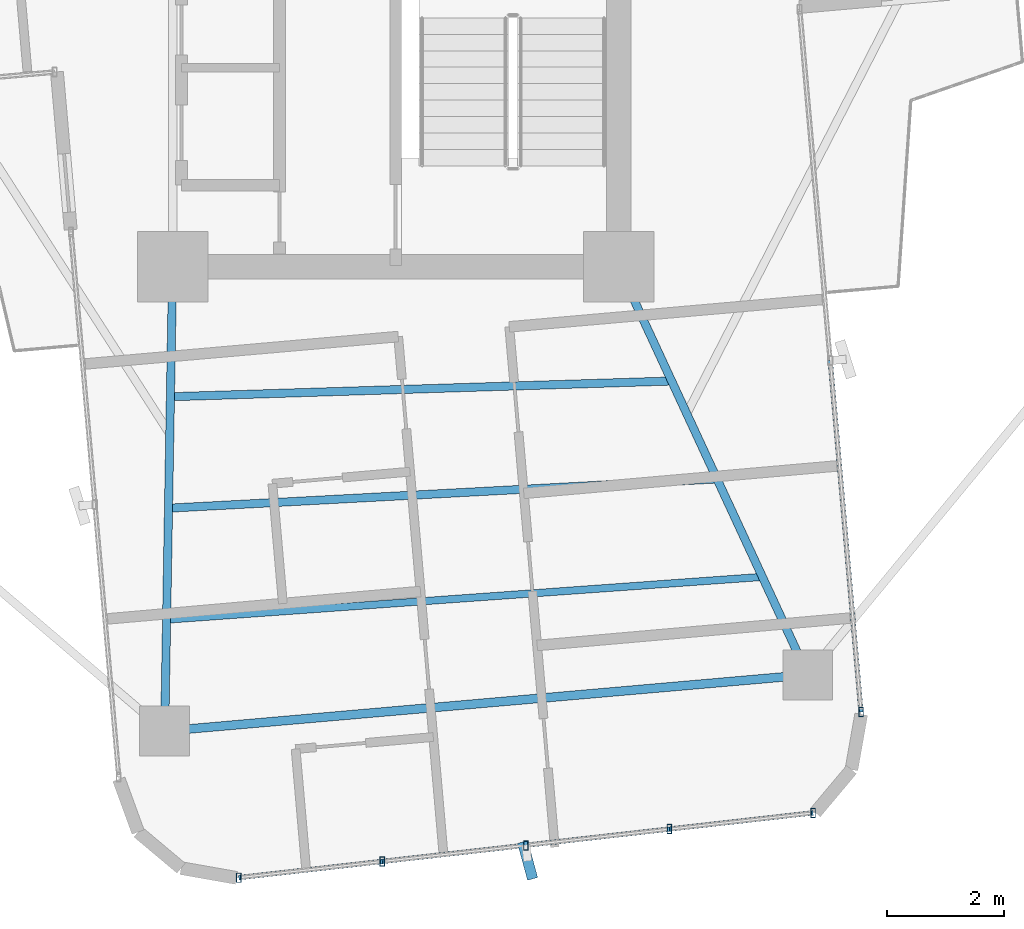
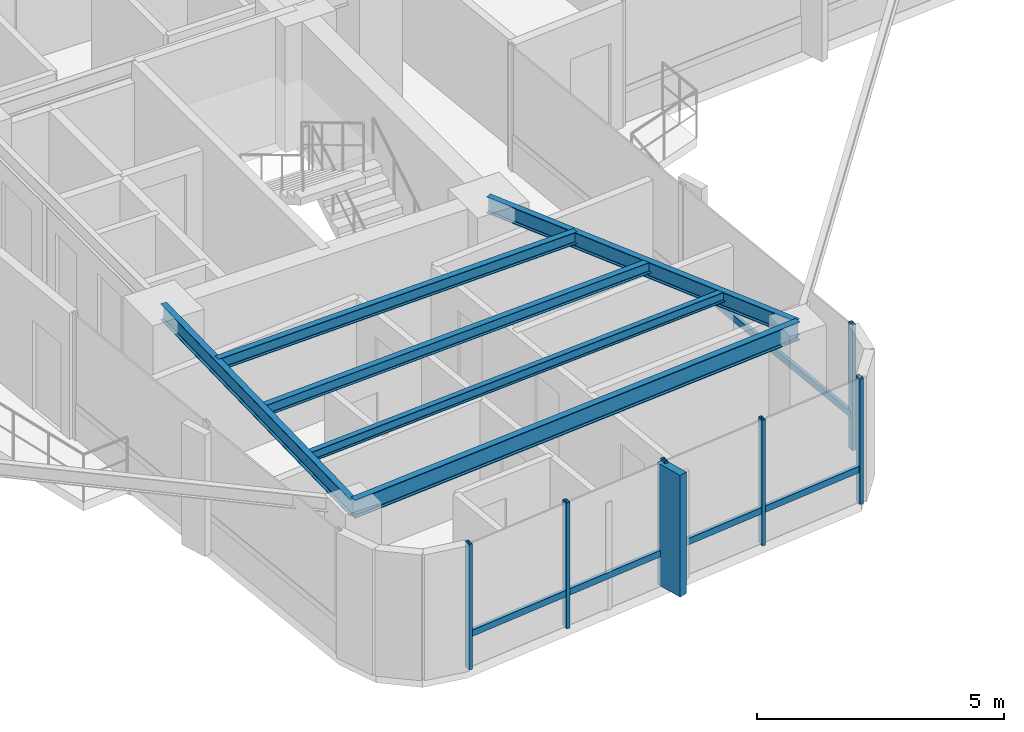
# One storey, part 6 of 24: 12 members, 6 beams, 2 elements without a shape of their own.
"""IFC4 building model written with IfcOpenShell, lengths in metres."""

from ifc_helpers import new_model, si_unit, direction, frame, origin, origin_2d, place, context, subcontext, project, spatial, rectangle, hollow_rectangle, i_section, extrude, source, transform, mapped, material, material_profile, profile_set, type_object, element, aggregate, save


model = new_model("IFC4")

# Units and contexts
model_context = context("Model", 3, precision=1e-05, world=origin(), true_north=direction((0.0, 1.0)))
body_context = subcontext(model_context, "Body", "Model", "MODEL_VIEW")
ifc_project = project(units=[si_unit("LENGTHUNIT", "METRE"), si_unit("AREAUNIT", "SQUARE_METRE"), si_unit("VOLUMEUNIT", "CUBIC_METRE"), si_unit("PLANEANGLEUNIT", "RADIAN"), si_unit("MASSUNIT", "GRAM", prefix="KILO")], contexts=[model_context])

# Site, building, storey
site_placement = place(None, origin())
site = spatial("IfcSite", under=ifc_project, at=site_placement, CompositionType="ELEMENT")
building_placement = place(site_placement, origin())
building = spatial("IfcBuilding", under=site, at=building_placement, Name="Sahyath Konkavel Grand Hotel", CompositionType="ELEMENT")
storey_placement = place(building_placement, frame((0.0, 0.0, 150.60009765625)))
storey = spatial("IfcBuildingStorey", under=building, at=storey_placement, Name="L41", CompositionType="ELEMENT", Elevation=150.60009765625)

# Beams
ifc_material_1 = material(Name="Steel E350", Category="steel")
ifc_material_profile_1 = material_profile(ifc_material_1, i_section(OverallWidth=0.139892578125, OverallDepth=0.39990234375, WebThickness=0.0087890625, FlangeThickness=0.01611328125, FilletRadius=0.013916015625, at=origin_2d()), Name="ISMB 400")
ifc_profile_set_1 = profile_set([ifc_material_profile_1], Name="Steel E350")
beam_type_1 = type_object("IfcBeamType", Name="BM-ISMB400", PredefinedType="BEAM", material=ifc_profile_set_1)
shared_shape_1 = source(origin(), body_context, "Body", "SweptSolid", [
    extrude(i_section(OverallWidth=0.139892578125, OverallDepth=0.39990234375, WebThickness=0.0087890625, FlangeThickness=0.01611328125, FilletRadius=0.013916015625, at=origin_2d()), origin(), (0.0, 0.0, 1.0), 7.913330078125),
])
beam_1_placement = place(storey_placement, frame((-3.800048828125, -10.199951171875, 2.909912109375), z_axis=(-0.017215419232, -0.999851803689, 0.0), x_axis=(0.999851803689, -0.017215419232, 0.0)))
element("IfcBeam", 1, at=beam_1_placement, inside=storey, type_object=beam_type_1, Name="L41 Cruciform Radial Girder SA", PredefinedType="BEAM", context=body_context, shape_type="MappedRepresentation", body=[
    mapped(shared_shape_1, transform((0.0, 0.0, 0.0), scale=1.0)),
])
shared_shape_2 = source(origin(), body_context, "Body", "SweptSolid", [
    extrude(i_section(OverallWidth=0.139892578125, OverallDepth=0.39990234375, WebThickness=0.0087890625, FlangeThickness=0.01611328125, FilletRadius=0.013916015625, at=origin_2d()), origin(), (0.0, 0.0, 1.0), 7.66357421875),
])
beam_2_placement = place(storey_placement, frame((3.800048828125, -10.199951171875, 2.909912109375), z_axis=(0.420395127561, -0.907341135804, 0.0), x_axis=(0.907341135804, 0.420395127561, 0.0)))
element("IfcBeam", 2, at=beam_2_placement, inside=storey, type_object=beam_type_1, Name="L41 Cruciform Radial Girder SB", PredefinedType="BEAM", context=body_context, shape_type="MappedRepresentation", body=[
    mapped(shared_shape_2, transform((0.0, 0.0, 0.0), scale=1.0)),
])
ifc_material_profile_2 = material_profile(ifc_material_1, i_section(OverallWidth=0.14990234375, OverallDepth=0.449951171875, WebThickness=0.009521484375, FlangeThickness=0.017333984375, FilletRadius=0.014892578125, at=origin_2d()), Name="ISMB 450")
ifc_profile_set_2 = profile_set([ifc_material_profile_2], Name="Steel E350")
beam_type_2 = type_object("IfcBeamType", Name="BM-ISMB450", PredefinedType="BEAM", material=ifc_profile_set_2)
shared_shape_3 = source(origin(), body_context, "Body", "SweptSolid", [
    extrude(i_section(OverallWidth=0.14990234375, OverallDepth=0.449951171875, WebThickness=0.009521484375, FlangeThickness=0.017333984375, FilletRadius=0.014892578125, at=origin_2d()), origin(), (0.0, 0.0, 1.0), 10.999755859375),
])
beam_3_placement = place(storey_placement, frame((-3.936279296875, -18.112060546875, 2.885009765625), z_axis=(0.99619439202, 0.087159241098, 0.0), x_axis=(-0.087159241098, 0.99619439202, 0.0)))
element("IfcBeam", 3, at=beam_3_placement, inside=storey, type_object=beam_type_2, Name="L41 Wing Tip Edge Beam S", PredefinedType="BEAM", context=body_context, shape_type="MappedRepresentation", body=[
    mapped(shared_shape_3, transform((0.0, 0.0, 0.0), scale=1.0)),
])
ifc_material_profile_3 = material_profile(ifc_material_1, i_section(OverallWidth=0.139892578125, OverallDepth=0.300048828125, WebThickness=0.0078125, FlangeThickness=0.01318359375, FilletRadius=0.013916015625, at=origin_2d()), Name="ISMB 300")
ifc_profile_set_3 = profile_set([ifc_material_profile_3], Name="Steel E350")
beam_type_3 = type_object("IfcBeamType", Name="BM-ISMB300", PredefinedType="BEAM", material=ifc_profile_set_3)
shared_shape_4 = source(origin(), body_context, "Body", "SweptSolid", [
    extrude(i_section(OverallWidth=0.139892578125, OverallDepth=0.300048828125, WebThickness=0.0078125, FlangeThickness=0.01318359375, FilletRadius=0.013916015625, at=origin_2d()), origin(), (0.0, 0.0, 1.0), 8.54443359375),
])
beam_4_placement = place(storey_placement, frame((-3.838134765625, -12.415283203125, 2.9599609375), z_axis=(0.999506849365, 0.031401561632, 0.0), x_axis=(-0.031401561632, 0.999506849365, 0.0)))
element("IfcBeam", 4, at=beam_4_placement, inside=storey, type_object=beam_type_3, Name="L41 Secondary Floor Beam S-1", PredefinedType="BEAM", context=body_context, shape_type="MappedRepresentation", body=[
    mapped(shared_shape_4, transform((0.0, 0.0, 0.0), scale=1.0)),
])
ifc_material_profile_4 = material_profile(ifc_material_1, i_section(OverallWidth=0.139892578125, OverallDepth=0.27490234375, WebThickness=0.00634765625, FlangeThickness=0.0087890625, FilletRadius=0.012939453125, at=origin_2d()), Name="ISLB 275")
ifc_profile_set_4 = profile_set([ifc_material_profile_4], Name="Steel E350")
beam_type_4 = type_object("IfcBeamType", Name="BM-ISLB275", PredefinedType="BEAM", material=ifc_profile_set_4)
shared_shape_5 = source(origin(), body_context, "Body", "SweptSolid", [
    extrude(i_section(OverallWidth=0.139892578125, OverallDepth=0.27490234375, WebThickness=0.00634765625, FlangeThickness=0.0087890625, FilletRadius=0.012939453125, at=origin_2d()), origin(), (0.0, 0.0, 1.0), 9.359375),
])
beam_5_placement = place(storey_placement, frame((-3.870849609375, -14.314208984375, 2.972412109375), z_axis=(0.998580397723, 0.053265272769, 0.0), x_axis=(-0.053265272769, 0.998580397723, 0.0)))
element("IfcBeam", 5, at=beam_5_placement, inside=storey, type_object=beam_type_4, Name="L41 Secondary Floor Beam S-2", PredefinedType="BEAM", context=body_context, shape_type="MappedRepresentation", body=[
    mapped(shared_shape_5, transform((0.0, 0.0, 0.0), scale=1.0)),
])
ifc_material_profile_5 = material_profile(ifc_material_1, i_section(OverallWidth=0.125, OverallDepth=0.25, WebThickness=0.0068359375, FlangeThickness=0.012451171875, FilletRadius=0.012939453125, at=origin_2d()), Name="ISMB 250")
ifc_profile_set_5 = profile_set([ifc_material_profile_5], Name="Steel E350")
beam_type_5 = type_object("IfcBeamType", Name="BM-ISMB250", PredefinedType="BEAM", material=ifc_profile_set_5)
shared_shape_6 = source(origin(), body_context, "Body", "SweptSolid", [
    extrude(i_section(OverallWidth=0.125, OverallDepth=0.25, WebThickness=0.0068359375, FlangeThickness=0.012451171875, FilletRadius=0.012939453125, at=origin_2d()), origin(), (0.0, 0.0, 1.0), 10.178466796875),
])
beam_6_placement = place(storey_placement, frame((-3.90380859375, -16.213134765625, 2.98486328125), z_axis=(0.997435268886, 0.071574327683, 0.0), x_axis=(-0.071574327683, 0.997435268886, 0.0)))
element("IfcBeam", 6, at=beam_6_placement, inside=storey, type_object=beam_type_5, Name="L41 Secondary Floor Beam S-3", PredefinedType="BEAM", context=body_context, shape_type="MappedRepresentation", body=[
    mapped(shared_shape_6, transform((0.0, 0.0, 0.0), scale=1.0)),
])

# Curtain wall, members
ifc_material_2 = material(Name="Anodised Bronze Aluminium & Low-E Glazing", Category="aluminium")
curtain_wall_type = type_object("IfcCurtainWallType", Name="CW-ZONE3", PredefinedType="NOTDEFINED", material=ifc_material_2)
curtain_wall_1_placement = place(storey_placement, origin())
curtain_wall_1 = element("IfcCurtainWall", 7, at=curtain_wall_1_placement, inside=storey, type_object=curtain_wall_type, Name="L41 Unitised Curtain Wall F28", PredefinedType="NOTDEFINED")
ifc_material_3 = material(Name="Anodised Bronze Aluminium", Category="aluminium")
ifc_material_profile_6 = material_profile(ifc_material_3, hollow_rectangle(XDim=0.080078125, YDim=0.159912109375, WallThickness=0.006103515625, at=origin_2d()), Name="RHS 160x80x6")
ifc_profile_set_6 = profile_set([ifc_material_profile_6], Name="Anodised Bronze Aluminium")
member_type_1 = type_object("IfcMemberType", Name="CW-MUL-160", PredefinedType="MULLION", material=ifc_profile_set_6)
shared_shape_7 = source(origin(), body_context, "Body", "SweptSolid", [
    extrude(hollow_rectangle(XDim=0.080078125, YDim=0.159912109375, WallThickness=0.006103515625, at=origin_2d()), origin(), (0.0, 0.0, 1.0), 3.10986328125),
])
member_1_placement = place(storey_placement, frame((-2.673828125, -20.610595703125, 0.0), z_axis=(0.0, 0.0, 1.0), x_axis=(1.0, 0.0, 0.0)))
member_1 = element("IfcMember", 8, at=member_1_placement, type_object=member_type_1, Name="L41 Curtain Wall Mullion F28-0", PredefinedType="MULLION", context=body_context, shape_type="MappedRepresentation", body=[
    mapped(shared_shape_7, transform((0.0, 0.0, 0.0), scale=1.0)),
])
member_2_placement = place(storey_placement, frame((-0.227294921875, -20.334716796875, 0.0), z_axis=(0.0, 0.0, 1.0), x_axis=(1.0, 0.0, 0.0)))
member_2 = element("IfcMember", 9, at=member_2_placement, type_object=member_type_1, Name="L41 Curtain Wall Mullion F28-1", PredefinedType="MULLION", context=body_context, shape_type="MappedRepresentation", body=[
    mapped(shared_shape_7, transform((0.0, 0.0, 0.0), scale=1.0)),
])
member_3_placement = place(storey_placement, frame((2.21923828125, -20.05908203125, 0.0), z_axis=(0.0, 0.0, 1.0), x_axis=(1.0, 0.0, 0.0)))
member_3 = element("IfcMember", 10, at=member_3_placement, type_object=member_type_1, Name="L41 Curtain Wall Mullion F28-2", PredefinedType="MULLION", context=body_context, shape_type="MappedRepresentation", body=[
    mapped(shared_shape_7, transform((0.0, 0.0, 0.0), scale=1.0)),
])
member_4_placement = place(storey_placement, frame((4.665771484375, -19.783203125, 0.0), z_axis=(0.0, 0.0, 1.0), x_axis=(1.0, 0.0, 0.0)))
member_4 = element("IfcMember", 11, at=member_4_placement, type_object=member_type_1, Name="L41 Curtain Wall Mullion F28-3", PredefinedType="MULLION", context=body_context, shape_type="MappedRepresentation", body=[
    mapped(shared_shape_7, transform((0.0, 0.0, 0.0), scale=1.0)),
])
member_5_placement = place(storey_placement, frame((7.1123046875, -19.507568359375, 0.0), z_axis=(0.0, 0.0, 1.0), x_axis=(1.0, 0.0, 0.0)))
member_5 = element("IfcMember", 12, at=member_5_placement, type_object=member_type_1, Name="L41 Curtain Wall Mullion F28-4", PredefinedType="MULLION", context=body_context, shape_type="MappedRepresentation", body=[
    mapped(shared_shape_7, transform((0.0, 0.0, 0.0), scale=1.0)),
])

# Curtain wall, member
curtain_wall_2_placement = place(storey_placement, origin())
curtain_wall_2 = element("IfcCurtainWall", 13, at=curtain_wall_2_placement, inside=storey, type_object=curtain_wall_type, Name="L41 Unitised Curtain Wall F31", PredefinedType="NOTDEFINED")
member_6_placement = place(storey_placement, frame((7.930419921875, -17.78662109375, 0.0), z_axis=(0.0, 0.0, 1.0), x_axis=(1.0, 0.0, 0.0)))
member_6 = element("IfcMember", 14, at=member_6_placement, type_object=member_type_1, Name="L41 Curtain Wall Mullion F31-0", PredefinedType="MULLION", context=body_context, shape_type="MappedRepresentation", body=[
    mapped(shared_shape_7, transform((0.0, 0.0, 0.0), scale=1.0)),
])

# Member
ifc_material_4 = material(Name="Warm Buff Sandstone Cladding on Concrete C50/60", Category="masonry")
ifc_material_profile_7 = material_profile(ifc_material_4, rectangle(XDim=0.179931640625, YDim=0.64990234375, at=origin_2d()), Name="FIN 180x650")
ifc_profile_set_7 = profile_set([ifc_material_profile_7], Name="Warm Buff Sandstone Cladding on Concrete C50/60")
member_type_2 = type_object("IfcMemberType", Name="FIN-SANDSTONE-650", PredefinedType="MULLION", material=ifc_profile_set_7)
shared_shape_8 = source(origin(), body_context, "Body", "SweptSolid", [
    extrude(rectangle(XDim=0.179931640625, YDim=0.64990234375, at=origin_2d()), origin(), (0.0, 0.0, 1.0), 3.010009765625),
])
member_7_placement = place(storey_placement, frame((2.248291015625, -20.3173828125, 0.0498046875), z_axis=(0.0, 0.0, 1.0), x_axis=(0.965016494472, 0.262189178641, 0.0)))
member_7 = element("IfcMember", 15, at=member_7_placement, type_object=member_type_2, Name="L41 Sandstone Vertical Solar Fin FIN F28-2", PredefinedType="MULLION", context=body_context, shape_type="MappedRepresentation", body=[
    mapped(shared_shape_8, transform((0.0, 0.0, 0.0), scale=1.0)),
])

ifc_material_profile_8 = material_profile(ifc_material_3, hollow_rectangle(XDim=0.080078125, YDim=0.159912109375, WallThickness=0.006103515625, at=origin_2d()), Name="RHS 160x80x6")
ifc_profile_set_8 = profile_set([ifc_material_profile_8], Name="Anodised Bronze Aluminium")
member_type_3 = type_object("IfcMemberType", Name="CW-TRN-160", PredefinedType="USERDEFINED", material=ifc_profile_set_8)
shared_shape_9 = source(origin(), body_context, "Body", "SweptSolid", [
    extrude(hollow_rectangle(XDim=0.080078125, YDim=0.159912109375, WallThickness=0.006103515625, at=origin_2d()), origin(), (0.0, 0.0, 1.0), 2.462158203125),
])
member_8_placement = place(storey_placement, frame((-2.673828125, -20.610595703125, 0.849853515625), z_axis=(0.99370222711, 0.112053040279, 0.0), x_axis=(-0.112053040279, 0.99370222711, 0.0)))
member_8 = element("IfcMember", 16, at=member_8_placement, type_object=member_type_3, Name="L41 Curtain Wall Transom F28-0-spandrel", ObjectType="TRANSOM", PredefinedType="USERDEFINED", context=body_context, shape_type="MappedRepresentation", body=[
    mapped(shared_shape_9, transform((0.0, 0.0, 0.0), scale=1.0)),
])

member_9_placement = place(storey_placement, frame((2.21923828125, -20.05908203125, 0.849853515625), z_axis=(0.99370222711, 0.112053040279, 0.0), x_axis=(-0.112053040279, 0.99370222711, 0.0)))
member_9 = element("IfcMember", 17, at=member_9_placement, type_object=member_type_3, Name="L41 Curtain Wall Transom F28-2-spandrel", ObjectType="TRANSOM", PredefinedType="USERDEFINED", context=body_context, shape_type="MappedRepresentation", body=[
    mapped(shared_shape_9, transform((0.0, 0.0, 0.0), scale=1.0)),
])

shared_shape_10 = source(origin(), body_context, "Body", "SweptSolid", [
    extrude(hollow_rectangle(XDim=0.080078125, YDim=0.159912109375, WallThickness=0.006103515625, at=origin_2d()), origin(), (0.0, 0.0, 1.0), 2.4619140625),
])
member_10_placement = place(storey_placement, frame((-0.227294921875, -20.334716796875, 0.849853515625), z_axis=(0.993713263833, 0.111955121731, 0.0), x_axis=(-0.111955121731, 0.993713263833, 0.0)))
member_10 = element("IfcMember", 18, at=member_10_placement, type_object=member_type_3, Name="L41 Curtain Wall Transom F28-1-spandrel", ObjectType="TRANSOM", PredefinedType="USERDEFINED", context=body_context, shape_type="MappedRepresentation", body=[
    mapped(shared_shape_10, transform((0.0, 0.0, 0.0), scale=1.0)),
])

member_11_placement = place(storey_placement, frame((4.665771484375, -19.783203125, 0.849853515625), z_axis=(0.993713263833, 0.111955121731, 0.0), x_axis=(-0.111955121731, 0.993713263833, 0.0)))
member_11 = element("IfcMember", 19, at=member_11_placement, type_object=member_type_3, Name="L41 Curtain Wall Transom F28-3-spandrel", ObjectType="TRANSOM", PredefinedType="USERDEFINED", context=body_context, shape_type="MappedRepresentation", body=[
    mapped(shared_shape_10, transform((0.0, 0.0, 0.0), scale=1.0)),
])

aggregate(curtain_wall_1, [member_1, member_2, member_3, member_7, member_4, member_5, member_8, member_10, member_9, member_11])

shared_shape_11 = source(origin(), body_context, "Body", "SweptSolid", [
    extrude(hollow_rectangle(XDim=0.080078125, YDim=0.159912109375, WallThickness=0.006103515625, at=origin_2d()), origin(), (0.0, 0.0, 1.0), 6.01025390625),
])
member_12_placement = place(storey_placement, frame((7.930419921875, -17.78662109375, 0.849853515625), z_axis=(-0.087172997156, 0.996193188376, 0.0), x_axis=(-0.996193188376, -0.087172997156, 0.0)))
member_12 = element("IfcMember", 20, at=member_12_placement, type_object=member_type_3, Name="L41 Curtain Wall Transom F31-0-spandrel", ObjectType="TRANSOM", PredefinedType="USERDEFINED", context=body_context, shape_type="MappedRepresentation", body=[
    mapped(shared_shape_11, transform((0.0, 0.0, 0.0), scale=1.0)),
])

aggregate(curtain_wall_2, [member_6, member_12])

save(model, "model.ifc")
